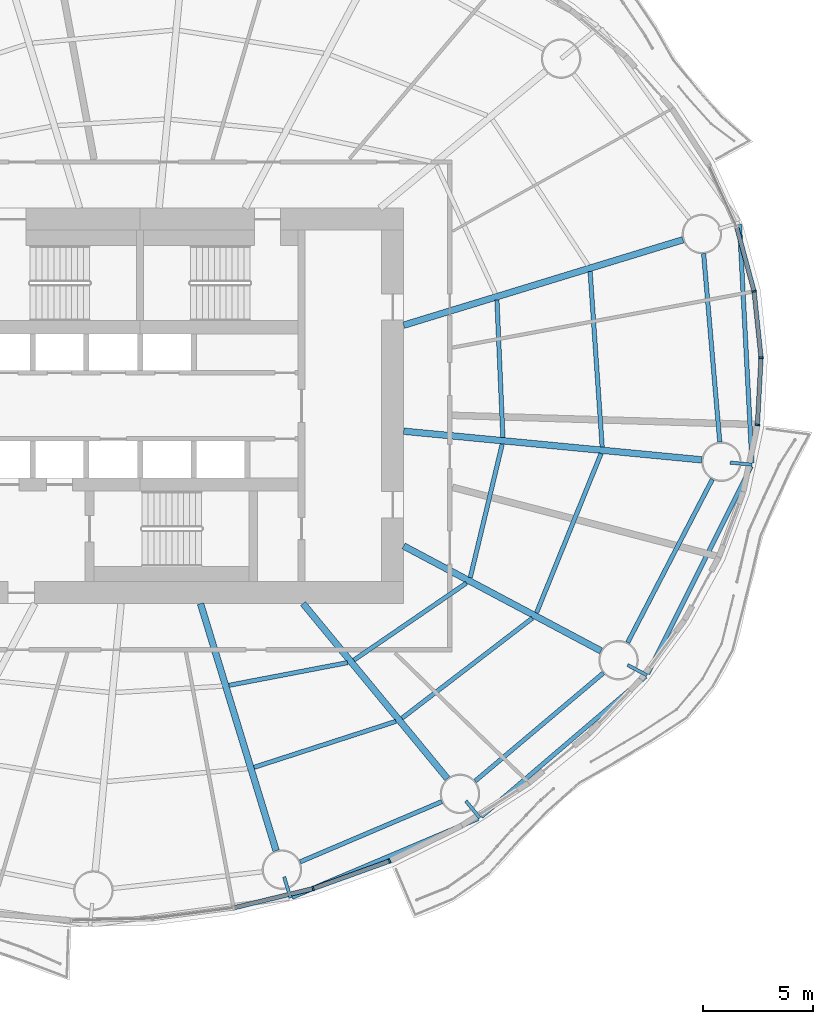
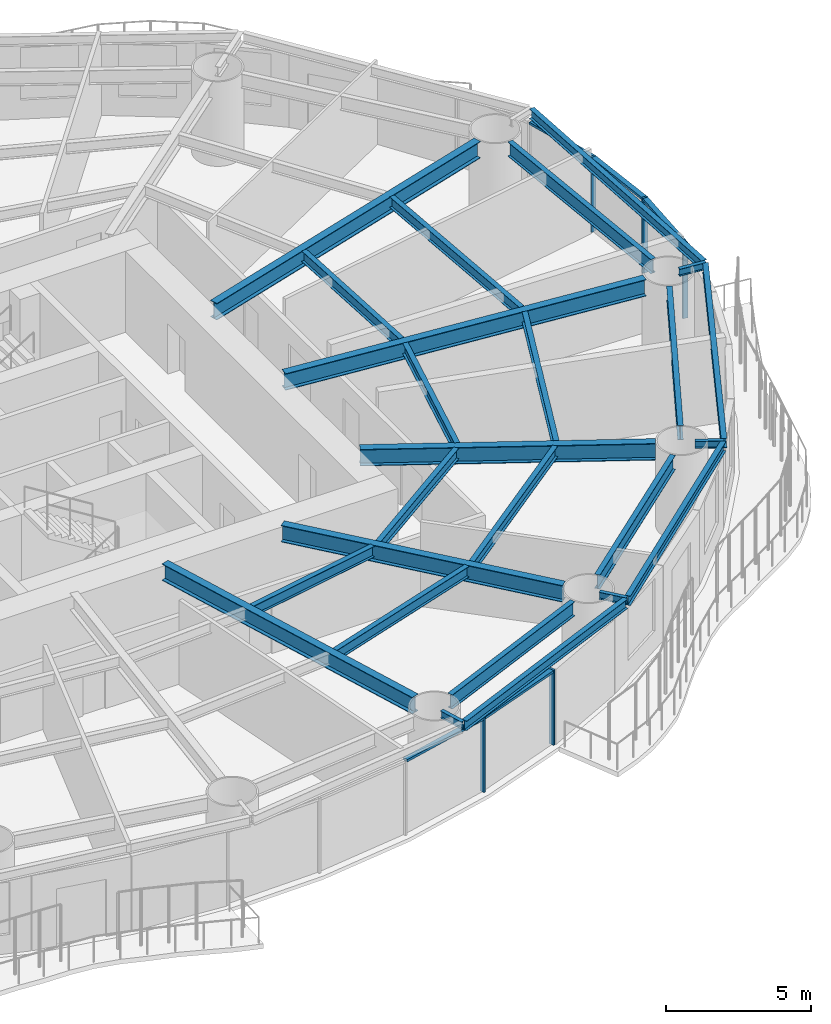
# One storey, part 4 of 17: 25 beams, 10 members, 5 elements without a shape of their own.
"""IFC4 building model written with IfcOpenShell, lengths in metres."""

import ifcopenshell
import ifcopenshell.guid

model = None  # the IFC model being written
_history = None  # IfcOwnerHistory: only IFC2X3 demands one
_inside = {}  # id of a spatial element -> (the spatial element, [elements in it])
_under = {}  # id of a project, library or spatial element -> (it, [spatial elements below it])
_declared = {}  # id of a project -> (the project, [libraries it declares])
_typed = {}  # id of a type object -> (the type object, [elements of that type])
_made_of = {}  # id of a material, layer set ... -> (it, [elements and type objects made of it])


def new_model(schema):
    """Start an empty IFC model of exactly this schema.

    Asked for "IFC4X3", IfcOpenShell would pick the latest addendum, in which some entities
    have other attributes; the version numbers below select the first issue.
    IFC2X3 requires an IfcOwnerHistory on every rooted entity: one is made here for all.
    """
    global model, _history
    if schema == "IFC4X3":
        model = ifcopenshell.file(schema_version=(4, 3, 0, 0))
    else:
        model = ifcopenshell.file(schema=schema)
    _inside.clear()
    _under.clear()
    _declared.clear()
    _typed.clear()
    _made_of.clear()
    _history = None
    if model.schema == "IFC2X3":
        org = make("IfcOrganization", Name="unknown")
        user = make(
            "IfcPersonAndOrganization",
            ThePerson=make("IfcPerson", FamilyName="unknown"),
            TheOrganization=org,
        )
        app = make(
            "IfcApplication",
            ApplicationDeveloper=org,
            Version="unknown",
            ApplicationFullName="unknown",
            ApplicationIdentifier="unknown",
        )
        _history = make(
            "IfcOwnerHistory",
            OwningUser=user,
            OwningApplication=app,
            ChangeAction="ADDED",
            CreationDate=0,
        )
    return model


def make(cls, **values):
    """One entity of the class cls with the attributes given. An attribute that is None is left unset."""
    return model.create_entity(
        cls, **{name: value for name, value in values.items() if value is not None}
    )


def rooted(cls, **values):
    """An entity with a GlobalId (a new one), such as an element, a storey or a relation."""
    return make(cls, GlobalId=ifcopenshell.guid.new(), OwnerHistory=_history, **values)


def si_unit(unit_type, name, prefix=None):
    """IfcSIUnit, for example si_unit("LENGTHUNIT", "METRE", prefix="MILLI")."""
    return make("IfcSIUnit", UnitType=unit_type, Prefix=prefix, Name=name)


def assignment(units):
    """IfcUnitAssignment: the units of a project."""
    return None if units is None else make("IfcUnitAssignment", Units=units)


def point(xyz):
    """IfcCartesianPoint."""
    return None if xyz is None else make("IfcCartesianPoint", Coordinates=xyz)


def direction(xyz):
    """IfcDirection."""
    return None if xyz is None else make("IfcDirection", DirectionRatios=xyz)


def frame(location, z_axis=None, x_axis=None):
    """IfcAxis2Placement3D, a coordinate frame: its origin and axes. An axis left out is left unset."""
    return make(
        "IfcAxis2Placement3D",
        Location=point(location),
        Axis=direction(z_axis),
        RefDirection=direction(x_axis),
    )


def frame_2d(location, x_axis=None):
    """IfcAxis2Placement2D, a coordinate frame in the plane: its origin and x axis."""
    return make(
        "IfcAxis2Placement2D", Location=point(location), RefDirection=direction(x_axis)
    )


def origin():
    """The frame at (0, 0, 0) with its axes left unset."""
    return frame((0.0, 0.0, 0.0))


def origin_2d():
    """The frame at (0, 0) in the plane with its x axis left unset."""
    return frame_2d((0.0, 0.0))


def place(relative_to, where):
    """IfcLocalPlacement: puts the frame where relative to a parent placement (None: the world)."""
    return make(
        "IfcLocalPlacement", PlacementRelTo=relative_to, RelativePlacement=where
    )


def context(
    kind, dimensions, precision=None, world=None, true_north=None, identifier=None
):
    """IfcGeometricRepresentationContext, for example the 3D "Model" context."""
    return make(
        "IfcGeometricRepresentationContext",
        ContextIdentifier=identifier,
        ContextType=kind,
        CoordinateSpaceDimension=dimensions,
        Precision=precision,
        WorldCoordinateSystem=world,
        TrueNorth=true_north,
    )


def subcontext(parent, identifier, kind, view, scale=None):
    """IfcGeometricRepresentationSubContext, for example "Body" below "Model"."""
    return make(
        "IfcGeometricRepresentationSubContext",
        ContextIdentifier=identifier,
        ContextType=kind,
        ParentContext=parent,
        TargetScale=scale,
        TargetView=view,
    )


def project(units=None, contexts=None):
    """IfcProject with its units and contexts."""
    return rooted(
        "IfcProject",
        Name="project",
        RepresentationContexts=contexts,
        UnitsInContext=assignment(units),
    )


def spatial(cls, under=None, at=None, **own):
    """A site, building, storey or space (cls), placed at a placement, below another one or the project."""
    s = rooted(cls, ObjectPlacement=at, **own)
    if under is not None:
        _under.setdefault(under.id(), (under, []))[1].append(s)
    return s


def profile(cls, at=None, kind="AREA", **sizes):
    """A parametric profile (cls). Its sizes go by their IFC names, for example OverallWidth=200.0."""
    return make(cls, ProfileType=kind, Position=at, **sizes)


def rectangle(**sizes):
    """IfcRectangleProfileDef."""
    return profile("IfcRectangleProfileDef", **sizes)


def i_section(**sizes):
    """IfcIShapeProfileDef."""
    return profile("IfcIShapeProfileDef", **sizes)


def extrude(swept, where, along, depth):
    """IfcExtrudedAreaSolid: the profile swept, set in the frame where, extruded along a direction by depth."""
    return make(
        "IfcExtrudedAreaSolid",
        SweptArea=swept,
        Position=where,
        ExtrudedDirection=direction(along),
        Depth=depth,
    )


def shape(context_of_items, identifier, shape_type, items):
    """IfcShapeRepresentation: the items that make up one representation, for example the "Body"."""
    return make(
        "IfcShapeRepresentation",
        ContextOfItems=context_of_items,
        RepresentationIdentifier=identifier,
        RepresentationType=shape_type,
        Items=items,
    )


def material(Name=None, Category=None):
    """IfcMaterial."""
    return make("IfcMaterial", Name=Name, Category=Category)


def material_profile(
    of_material, cross_section, Name=None, Category=None, Priority=None
):
    """IfcMaterialProfile: a cross section and its material."""
    return make(
        "IfcMaterialProfile",
        Name=Name,
        Material=of_material,
        Profile=cross_section,
        Priority=Priority,
        Category=Category,
    )


def profile_set(profiles, Name=None, composite=None):
    """IfcMaterialProfileSet."""
    return make(
        "IfcMaterialProfileSet",
        Name=Name,
        MaterialProfiles=profiles,
        CompositeProfile=composite,
    )


def made_of(thing, what):
    """Note that an element or type object is made of a material, layer set ...; save() writes the relation."""
    if what is not None:
        _made_of.setdefault(what.id(), (what, []))[1].append(thing)
    return thing


def type_object(cls, material=None, **own):
    """A type object (cls), such as IfcWallType, which elements share."""
    return made_of(rooted(cls, **own), material)


def element(
    cls,
    number,
    at=None,
    inside=None,
    cuts=None,
    type_object=None,
    material=None,
    context=None,
    identifier="Body",
    shape_type=None,
    held_by="IfcProductDefinitionShape",
    body=None,
    shapes=None,
    **own,
):
    """One element of the class cls, such as IfcWall. Its Tag is "e" and its number.

    at: its placement. inside: the storey or other place that contains it. cuts: it is an
    opening in that element (IfcRelVoidsElement). A single representation is given by context,
    identifier, shape_type and body (its items); several are given by shapes. held_by: the class
    of the entity that holds the representations. save() writes the other relations.
    """
    e = rooted(cls, Tag="e%d" % number, ObjectPlacement=at, **own)
    if body is not None:
        shapes = [shape(context, identifier, shape_type, body)]
    if shapes is not None:
        e.Representation = make(held_by, Representations=shapes)
    if inside is not None:
        _inside.setdefault(inside.id(), (inside, []))[1].append(e)
    if cuts is not None:
        rooted(
            "IfcRelVoidsElement", RelatingBuildingElement=cuts, RelatedOpeningElement=e
        )
    if type_object is not None:
        _typed.setdefault(type_object.id(), (type_object, []))[1].append(e)
    return made_of(e, material)


def aggregate(whole, parts):
    """IfcRelAggregates: a whole, such as a stair, and the parts it consists of."""
    return rooted("IfcRelAggregates", RelatingObject=whole, RelatedObjects=parts)


def save(model, path):
    """Write the relations noted so far, then the file.

    IfcRelAggregates (storeys below a building ...), IfcRelContainedInSpatialStructure (elements
    in a storey), IfcRelDefinesByType, IfcRelAssociatesMaterial and IfcRelDeclares: one each for
    every whole, place, type object, material and project.
    """
    for whole, parts in _under.values():
        aggregate(whole, parts)
    for where, things in _inside.values():
        rooted(
            "IfcRelContainedInSpatialStructure",
            RelatedElements=things,
            RelatingStructure=where,
        )
    for kind, things in _typed.values():
        rooted("IfcRelDefinesByType", RelatedObjects=things, RelatingType=kind)
    for what, things in _made_of.values():
        rooted("IfcRelAssociatesMaterial", RelatedObjects=things, RelatingMaterial=what)
    for by, libraries in _declared.values():
        rooted("IfcRelDeclares", RelatingContext=by, RelatedDefinitions=libraries)
    model.write(path)


model = new_model("IFC4")

# Units and contexts
model_context = context("Model", 3, precision=1e-05, world=origin(), true_north=direction((0.0, 1.0)))
body_context = subcontext(model_context, "Body", "Model", "MODEL_VIEW")
ifc_project = project(units=[si_unit("LENGTHUNIT", "METRE"), si_unit("AREAUNIT", "SQUARE_METRE"), si_unit("VOLUMEUNIT", "CUBIC_METRE"), si_unit("PLANEANGLEUNIT", "RADIAN"), si_unit("MASSUNIT", "GRAM", prefix="KILO")], contexts=[model_context])

# Site, building, storey
site_placement = place(None, origin())
site = spatial("IfcSite", under=ifc_project, at=site_placement, CompositionType="ELEMENT")
building_placement = place(site_placement, origin())
building = spatial("IfcBuilding", under=site, at=building_placement, Name="Vermilion Reach Broadcast Tower", CompositionType="ELEMENT")
storey_placement = place(building_placement, frame((0.0, 0.0, 76.699951171875)))
storey = spatial("IfcBuildingStorey", under=building, at=storey_placement, Name="L16", CompositionType="ELEMENT", Elevation=76.699951171875)

# Beams
ifc_material_1 = material(Name="Steel S355J2", Category="steel")
ifc_material_profile_1 = material_profile(ifc_material_1, i_section(OverallWidth=0.199951171875, OverallDepth=0.39990234375, WebThickness=0.008056640625, FlangeThickness=0.012939453125, at=origin_2d()), Name="S355J2 HN 400x200x8x13")
ifc_profile_set_1 = profile_set([ifc_material_profile_1], Name="Steel S355J2")
beam_type_1 = type_object("IfcBeamType", Name="EB1 HN 400x200x8x13", PredefinedType="BEAM", material=ifc_profile_set_1)
beam_1_placement = place(storey_placement, frame((0.92041015625, -22.36474609375, 3.35009765625), z_axis=(0.921083341804, 0.38936548056, 0.0), x_axis=(-0.38936548056, 0.921083341804, 0.0)))
element("IfcBeam", 1, at=beam_1_placement, inside=storey, type_object=beam_type_1, Name="Edge beam EB1-13", PredefinedType="BEAM", context=body_context, shape_type="SweptSolid", body=[
    extrude(i_section(OverallWidth=0.199951171875, OverallDepth=0.39990234375, WebThickness=0.008056640625, FlangeThickness=0.012939453125, at=origin_2d()), origin(), (0.0, 0.0, 1.0), 9.19775390625),
])
beam_2_placement = place(storey_placement, frame((9.521484375, -18.704345703125, 3.35009765625), z_axis=(0.760702483085, 0.64910071039, 0.0), x_axis=(-0.64910071039, 0.760702483085, 0.0)))
element("IfcBeam", 2, at=beam_2_placement, inside=storey, type_object=beam_type_1, Name="Edge beam EB1-14", PredefinedType="BEAM", context=body_context, shape_type="SweptSolid", body=[
    extrude(i_section(OverallWidth=0.199951171875, OverallDepth=0.39990234375, WebThickness=0.008056640625, FlangeThickness=0.012939453125, at=origin_2d()), origin(), (0.0, 0.0, 1.0), 9.84423828125),
])
beam_3_placement = place(storey_placement, frame((17.10498046875, -12.195068359375, 3.35009765625), z_axis=(0.446732551643, 0.894667551274, 0.0), x_axis=(-0.894667551274, 0.446732551643, 0.0)))
element("IfcBeam", 3, at=beam_3_placement, inside=storey, type_object=beam_type_1, Name="Edge beam EB1-15", PredefinedType="BEAM", context=body_context, shape_type="SweptSolid", body=[
    extrude(i_section(OverallWidth=0.199951171875, OverallDepth=0.39990234375, WebThickness=0.008056640625, FlangeThickness=0.012939453125, at=origin_2d()), origin(), (0.0, 0.0, 1.0), 10.557861328125),
])
beam_4_placement = place(storey_placement, frame((21.853515625, -2.601806640625, 3.35009765625), z_axis=(-0.05221391195, 0.998635923347, 0.0), x_axis=(-0.998635923347, -0.05221391195, 0.0)))
element("IfcBeam", 4, at=beam_4_placement, inside=storey, type_object=beam_type_1, Name="Edge beam EB1-16", PredefinedType="BEAM", context=body_context, shape_type="SweptSolid", body=[
    extrude(i_section(OverallWidth=0.199951171875, OverallDepth=0.39990234375, WebThickness=0.008056640625, FlangeThickness=0.012939453125, at=origin_2d()), origin(), (0.0, 0.0, 1.0), 10.88525390625),
])
ifc_material_2 = material(Name="Steel S355J2", Category="steel")
ifc_material_profile_2 = material_profile(ifc_material_2, i_section(OverallWidth=0.300048828125, OverallDepth=0.699951171875, WebThickness=0.012939453125, FlangeThickness=0.02392578125, at=origin_2d()), Name="S355J2 HN 700x300x13x24")
ifc_profile_set_2 = profile_set([ifc_material_profile_2], Name="Steel S355J2")
beam_type_2 = type_object("IfcBeamType", Name="G1 HN 700x300x13x24", PredefinedType="BEAM", material=ifc_profile_set_2)
beam_5_placement = place(storey_placement, frame((6.0, 3.671142578125, 3.199951171875), z_axis=(0.956255735186, 0.292531996409, 0.0), x_axis=(-0.292531996409, 0.956255735186, 0.0)))
element("IfcBeam", 5, at=beam_5_placement, inside=storey, type_object=beam_type_2, Name="Girder G1-01", PredefinedType="BEAM", context=body_context, shape_type="SweptSolid", body=[
    extrude(i_section(OverallWidth=0.300048828125, OverallDepth=0.699951171875, WebThickness=0.012939453125, FlangeThickness=0.02392578125, at=origin_2d()), origin(), (0.0, 0.0, 1.0), 13.29638671875),
])
beam_6_placement = place(storey_placement, frame((-3.246826171875, -9.0, 3.199951171875), z_axis=(0.292542302886, -0.95625258223, 0.0), x_axis=(0.95625258223, 0.292542302886, 0.0)))
element("IfcBeam", 6, at=beam_6_placement, inside=storey, type_object=beam_type_2, Name="Girder G1-13", PredefinedType="BEAM", context=body_context, shape_type="SweptSolid", body=[
    extrude(i_section(OverallWidth=0.300048828125, OverallDepth=0.699951171875, WebThickness=0.012939453125, FlangeThickness=0.02392578125, at=origin_2d()), origin(), (0.0, 0.0, 1.0), 11.76220703125),
])
beam_7_placement = place(storey_placement, frame((1.421630859375, -9.0, 3.199951171875), z_axis=(0.636215165107, -0.77151167437, 0.0), x_axis=(0.77151167437, 0.636215165107, 0.0)))
element("IfcBeam", 7, at=beam_7_placement, inside=storey, type_object=beam_type_2, Name="Girder G1-14", PredefinedType="BEAM", context=body_context, shape_type="SweptSolid", body=[
    extrude(i_section(OverallWidth=0.300048828125, OverallDepth=0.699951171875, WebThickness=0.012939453125, FlangeThickness=0.02392578125, at=origin_2d()), origin(), (0.0, 0.0, 1.0), 10.3251953125),
])
beam_8_placement = place(storey_placement, frame((6.0, -6.3779296875, 3.199951171875), z_axis=(0.883032139419, -0.469312519279, 0.0), x_axis=(0.469312519279, 0.883032139419, 0.0)))
element("IfcBeam", 8, at=beam_8_placement, inside=storey, type_object=beam_type_2, Name="Girder G1-15", PredefinedType="BEAM", context=body_context, shape_type="SweptSolid", body=[
    extrude(i_section(OverallWidth=0.300048828125, OverallDepth=0.699951171875, WebThickness=0.012939453125, FlangeThickness=0.02392578125, at=origin_2d()), origin(), (0.0, 0.0, 1.0), 10.17529296875),
])
beam_9_placement = place(storey_placement, frame((6.0, -1.1533203125, 3.199951171875), z_axis=(0.995412178872, -0.095679643363, 0.0), x_axis=(0.095679643363, 0.995412178872, 0.0)))
element("IfcBeam", 9, at=beam_9_placement, inside=storey, type_object=beam_type_2, Name="Girder G1-16", PredefinedType="BEAM", context=body_context, shape_type="SweptSolid", body=[
    extrude(i_section(OverallWidth=0.300048828125, OverallDepth=0.699951171875, WebThickness=0.012939453125, FlangeThickness=0.02392578125, at=origin_2d()), origin(), (0.0, 0.0, 1.0), 13.630859375),
])
ifc_material_3 = material(Name="Steel S355J2", Category="steel")
ifc_material_profile_3 = material_profile(ifc_material_3, i_section(OverallWidth=0.14990234375, OverallDepth=0.300048828125, WebThickness=0.006591796875, FlangeThickness=0.009033203125, at=origin_2d()), Name="S355J2 HN 300x150x6.5x9")
ifc_profile_set_3 = profile_set([ifc_material_profile_3], Name="Steel S355J2")
beam_type_3 = type_object("IfcBeamType", Name="GS1 HN 300x150x6.5x9", PredefinedType="BEAM", material=ifc_profile_set_3)
for number, where, z_axis, x_axis, name in (
    (10, (0.558349609375, -21.43798828125, 3.400146484375), (0.292472824594, -0.95627383467, 0.0), (0.95627383467, 0.292472824594, 0.0), "Cantilever stub GS1-13"),
    (11, (8.828125, -17.9814453125, 3.400146484375), (0.636237674108, -0.771493112118, 0.0), (0.771493112118, 0.636237674108, 0.0), "Cantilever stub GS1-14"),
    (12, (16.1884765625, -11.792724609375, 3.400146484375), (0.882967123333, -0.469434829463, 0.0), (0.469434829463, 0.882967123333, 0.0), "Cantilever stub GS1-15"),
    (13, (20.862060546875, -2.581787109375, 3.400146484375), (0.995409476419, -0.095707754417, 0.0), (0.095707754417, 0.995409476419, 0.0), "Cantilever stub GS1-16"),
):
    element("IfcBeam", number, at=place(storey_placement, frame(where, z_axis=z_axis, x_axis=x_axis)), inside=storey, type_object=beam_type_3, Name=name, PredefinedType="BEAM", context=body_context, shape_type="SweptSolid", body=[
        extrude(i_section(OverallWidth=0.14990234375, OverallDepth=0.300048828125, WebThickness=0.006591796875, FlangeThickness=0.009033203125, at=origin_2d()), origin(), (0.0, 0.0, 1.0), 1.0),
    ])
ifc_material_4 = material(Name="Steel S355J2", Category="steel")
ifc_material_profile_4 = material_profile(ifc_material_4, i_section(OverallWidth=0.199951171875, OverallDepth=0.60009765625, WebThickness=0.010986328125, FlangeThickness=0.01708984375, at=origin_2d()), Name="S355J2 HN 600x200x11x17")
ifc_profile_set_4 = profile_set([ifc_material_profile_4], Name="Steel S355J2")
beam_type_4 = type_object("IfcBeamType", Name="RB1 HN 600x200x11x17", PredefinedType="BEAM", material=ifc_profile_set_4)
beam_10_placement = place(storey_placement, frame((1.28564453125, -20.755859375, 3.25), z_axis=(0.920220846584, 0.391399531825, 0.0), x_axis=(-0.391399531825, 0.920220846584, 0.0)))
element("IfcBeam", 14, at=beam_10_placement, inside=storey, type_object=beam_type_4, Name="Ring beam RB1-13", PredefinedType="BEAM", context=body_context, shape_type="SweptSolid", body=[
    extrude(i_section(OverallWidth=0.199951171875, OverallDepth=0.60009765625, WebThickness=0.010986328125, FlangeThickness=0.01708984375, at=origin_2d()), origin(), (0.0, 0.0, 1.0), 7.008544921875),
])
beam_11_placement = place(storey_placement, frame((9.251220703125, -17.080322265625, 3.25), z_axis=(0.764512441084, 0.6446089725, 0.0), x_axis=(-0.6446089725, 0.764512441084, 0.0)))
element("IfcBeam", 15, at=beam_11_placement, inside=storey, type_object=beam_type_4, Name="Ring beam RB1-14", PredefinedType="BEAM", context=body_context, shape_type="SweptSolid", body=[
    extrude(i_section(OverallWidth=0.199951171875, OverallDepth=0.60009765625, WebThickness=0.010986328125, FlangeThickness=0.01708984375, at=origin_2d()), origin(), (0.0, 0.0, 1.0), 7.6396484375),
])
beam_12_placement = place(storey_placement, frame((16.194091796875, -10.776611328125, 3.25), z_axis=(0.460411617218, 0.887705549566, 0.0), x_axis=(-0.887705549566, 0.460411617218, 0.0)))
element("IfcBeam", 16, at=beam_12_placement, inside=storey, type_object=beam_type_4, Name="Ring beam RB1-15", PredefinedType="BEAM", context=body_context, shape_type="SweptSolid", body=[
    extrude(i_section(OverallWidth=0.199951171875, OverallDepth=0.60009765625, WebThickness=0.010986328125, FlangeThickness=0.01708984375, at=origin_2d()), origin(), (0.0, 0.0, 1.0), 8.37451171875),
])
beam_13_placement = place(storey_placement, frame((20.38720703125, -1.646728515625, 3.25), z_axis=(-0.085395508608, 0.996347131832, 0.0), x_axis=(-0.996347131832, -0.085395508608, 0.0)))
element("IfcBeam", 17, at=beam_13_placement, inside=storey, type_object=beam_type_4, Name="Ring beam RB1-16", PredefinedType="BEAM", context=body_context, shape_type="SweptSolid", body=[
    extrude(i_section(OverallWidth=0.199951171875, OverallDepth=0.60009765625, WebThickness=0.010986328125, FlangeThickness=0.01708984375, at=origin_2d()), origin(), (0.0, 0.0, 1.0), 8.60546875),
])
ifc_material_5 = material(Name="Steel S355J2", Category="steel")
ifc_material_profile_5 = material_profile(ifc_material_5, i_section(OverallWidth=0.199951171875, OverallDepth=0.449951171875, WebThickness=0.009033203125, FlangeThickness=0.013916015625, at=origin_2d()), Name="S355J2 HN 450x200x9x14")
ifc_profile_set_5 = profile_set([ifc_material_profile_5], Name="Steel S355J2")
beam_type_5 = type_object("IfcBeamType", Name="SB1 HN 450x200x9x14", PredefinedType="BEAM", material=ifc_profile_set_5)
beam_14_placement = place(storey_placement, frame((-1.95166015625, -12.720703125, 3.324951171875), z_axis=(0.982151348822, 0.188092339045, 0.0), x_axis=(-0.188092339045, 0.982151348822, 0.0)))
element("IfcBeam", 18, at=beam_14_placement, inside=storey, type_object=beam_type_5, Name="Secondary beam SB1-13-1", PredefinedType="BEAM", context=body_context, shape_type="SweptSolid", body=[
    extrude(i_section(OverallWidth=0.199951171875, OverallDepth=0.449951171875, WebThickness=0.009033203125, FlangeThickness=0.013916015625, at=origin_2d()), origin(), (0.0, 0.0, 1.0), 5.4931640625),
])
beam_15_placement = place(storey_placement, frame((-0.81005859375, -16.4521484375, 3.324951171875), z_axis=(0.951332300844, 0.308166924523, 0.0), x_axis=(-0.308166924523, 0.951332300844, 0.0)))
element("IfcBeam", 19, at=beam_15_placement, inside=storey, type_object=beam_type_5, Name="Secondary beam SB1-13-2", PredefinedType="BEAM", context=body_context, shape_type="SweptSolid", body=[
    extrude(i_section(OverallWidth=0.199951171875, OverallDepth=0.449951171875, WebThickness=0.009033203125, FlangeThickness=0.013916015625, at=origin_2d()), origin(), (0.0, 0.0, 1.0), 6.787841796875),
])
beam_16_placement = place(storey_placement, frame((3.735595703125, -11.5703125, 3.324951171875), z_axis=(0.825140253447, 0.564927926502, 0.0), x_axis=(-0.564927926502, 0.825140253447, 0.0)))
element("IfcBeam", 20, at=beam_16_placement, inside=storey, type_object=beam_type_5, Name="Secondary beam SB1-14-1", PredefinedType="BEAM", context=body_context, shape_type="SweptSolid", body=[
    extrude(i_section(OverallWidth=0.199951171875, OverallDepth=0.449951171875, WebThickness=0.009033203125, FlangeThickness=0.013916015625, at=origin_2d()), origin(), (0.0, 0.0, 1.0), 6.20458984375),
])
beam_17_placement = place(storey_placement, frame((5.920166015625, -14.21923828125, 3.324951171875), z_axis=(0.793349617473, 0.60876628065, 0.0), x_axis=(-0.60876628065, 0.793349617473, 0.0)))
element("IfcBeam", 21, at=beam_17_placement, inside=storey, type_object=beam_type_5, Name="Secondary beam SB1-14-2", PredefinedType="BEAM", context=body_context, shape_type="SweptSolid", body=[
    extrude(i_section(OverallWidth=0.199951171875, OverallDepth=0.449951171875, WebThickness=0.009033203125, FlangeThickness=0.013916015625, at=origin_2d()), origin(), (0.0, 0.0, 1.0), 7.486328125),
])
beam_18_placement = place(storey_placement, frame((9.031005859375, -7.81884765625, 3.324951171875), z_axis=(0.232844467589, 0.972513986487, 0.0), x_axis=(-0.972513986487, 0.232844467589, 0.0)))
element("IfcBeam", 22, at=beam_18_placement, inside=storey, type_object=beam_type_5, Name="Secondary beam SB1-15-1", PredefinedType="BEAM", context=body_context, shape_type="SweptSolid", body=[
    extrude(i_section(OverallWidth=0.199951171875, OverallDepth=0.449951171875, WebThickness=0.009033203125, FlangeThickness=0.013916015625, at=origin_2d()), origin(), (0.0, 0.0, 1.0), 6.25537109375),
])
beam_19_placement = place(storey_placement, frame((12.046630859375, -9.421630859375, 3.324951171875), z_axis=(0.375640669938, 0.926765389453, 0.0), x_axis=(-0.926765389453, 0.375640669938, 0.0)))
element("IfcBeam", 23, at=beam_19_placement, inside=storey, type_object=beam_type_5, Name="Secondary beam SB1-15-2", PredefinedType="BEAM", context=body_context, shape_type="SweptSolid", body=[
    extrude(i_section(OverallWidth=0.199951171875, OverallDepth=0.449951171875, WebThickness=0.009033203125, FlangeThickness=0.013916015625, at=origin_2d()), origin(), (0.0, 0.0, 1.0), 7.8271484375),
])
beam_20_placement = place(storey_placement, frame((10.51611328125, -1.436767578125, 3.324951171875), z_axis=(-0.043361007512, 0.999059469215, 0.0), x_axis=(-0.999059469215, -0.043361007512, 0.0)))
element("IfcBeam", 24, at=beam_20_placement, inside=storey, type_object=beam_type_5, Name="Secondary beam SB1-16-1", PredefinedType="BEAM", context=body_context, shape_type="SweptSolid", body=[
    extrude(i_section(OverallWidth=0.199951171875, OverallDepth=0.449951171875, WebThickness=0.009033203125, FlangeThickness=0.013916015625, at=origin_2d()), origin(), (0.0, 0.0, 1.0), 6.25537109375),
])
beam_21_placement = place(storey_placement, frame((15.03515625, -1.87109375, 3.324951171875), z_axis=(-0.068507801475, 0.997650580683, 0.0), x_axis=(-0.997650580683, -0.068507801475, 0.0)))
element("IfcBeam", 25, at=beam_21_placement, inside=storey, type_object=beam_type_5, Name="Secondary beam SB1-16-2", PredefinedType="BEAM", context=body_context, shape_type="SweptSolid", body=[
    extrude(i_section(OverallWidth=0.199951171875, OverallDepth=0.449951171875, WebThickness=0.009033203125, FlangeThickness=0.013916015625, at=origin_2d()), origin(), (0.0, 0.0, 1.0), 8.00048828125),
])

# Curtain wall, member
ifc_material_6 = material(Name="Low-e laminated clear glass in aluminium frame", Category="aluminium")
curtain_wall_type = type_object("IfcCurtainWallType", Name="Slot curtain wall", PredefinedType="NOTDEFINED", material=ifc_material_6)
placement = place(storey_placement, origin())
curtain_wall_1 = element("IfcCurtainWall", 26, at=placement, inside=storey, type_object=curtain_wall_type, Name="Slot curtain wall L16 46", PredefinedType="NOTDEFINED")
ifc_material_7 = material(Name="Anodised aluminium", Category="aluminium")
ifc_material_profile_6 = material_profile(ifc_material_7, rectangle(XDim=0.199951171875, YDim=0.080078125, at=origin_2d()), Name="Slot mullion 80 x 200")
ifc_profile_set_6 = profile_set([ifc_material_profile_6], Name="Anodised aluminium")
member_type_1 = type_object("IfcMemberType", Name="Slot mullion 80 x 200", PredefinedType="MULLION", material=ifc_profile_set_6)
member_1_placement = place(storey_placement, frame((22.100341796875, -0.864990234375, 0.0), z_axis=(0.0, 0.0, 1.0), x_axis=(-0.99141424086, 0.13075856767, 0.0)))
member_1 = element("IfcMember", 27, at=member_1_placement, type_object=member_type_1, Name="Slot mullion L16 46", PredefinedType="MULLION", context=body_context, shape_type="SweptSolid", body=[
    extrude(rectangle(XDim=0.199951171875, YDim=0.080078125, at=origin_2d()), origin(), (0.0, 0.0, 1.0), 3.150146484375),
])

curtain_wall_2 = element("IfcCurtainWall", 28, at=placement, inside=storey, type_object=curtain_wall_type, Name="Slot curtain wall L16 47", PredefinedType="NOTDEFINED")
member_2_placement = place(storey_placement, frame((22.264892578125, 2.191650390625, 0.0), z_axis=(0.0, 0.0, 1.0), x_axis=(-0.999679289273, -0.025324268963, 0.0)))
member_2 = element("IfcMember", 29, at=member_2_placement, type_object=member_type_1, Name="Slot mullion L16 47", PredefinedType="MULLION", context=body_context, shape_type="SweptSolid", body=[
    extrude(rectangle(XDim=0.199951171875, YDim=0.080078125, at=origin_2d()), origin(), (0.0, 0.0, 1.0), 3.150146484375),
])

curtain_wall_3 = element("IfcCurtainWall", 30, at=placement, inside=storey, type_object=curtain_wall_type, Name="Slot curtain wall L16 00", PredefinedType="NOTDEFINED")
member_3_placement = place(storey_placement, frame((21.948486328125, 5.210205078125, 0.0), z_axis=(0.0, 0.0, 1.0), x_axis=(-0.983063525137, -0.183265123648, 0.0)))
member_3 = element("IfcMember", 31, at=member_3_placement, type_object=member_type_1, Name="Slot mullion L16 00", PredefinedType="MULLION", context=body_context, shape_type="SweptSolid", body=[
    extrude(rectangle(XDim=0.199951171875, YDim=0.080078125, at=origin_2d()), origin(), (0.0, 0.0, 1.0), 3.150146484375),
])

# Curtain wall, members
curtain_wall_4 = element("IfcCurtainWall", 32, at=placement, inside=storey, type_object=curtain_wall_type, Name="Slot curtain wall L16 37", PredefinedType="NOTDEFINED")
member_4_placement = place(storey_placement, frame((1.8779296875, -21.97119140625, 0.0), z_axis=(0.0, 0.0, 1.0), x_axis=(-0.287794119041, 0.957692301862, 0.0)))
member_4 = element("IfcMember", 33, at=member_4_placement, type_object=member_type_1, Name="Slot mullion L16 37", PredefinedType="MULLION", context=body_context, shape_type="SweptSolid", body=[
    extrude(rectangle(XDim=0.199951171875, YDim=0.080078125, at=origin_2d()), origin(), (0.0, 0.0, 1.0), 3.150146484375),
])
member_5_placement = place(storey_placement, frame((5.360595703125, -20.71630859375, 0.0), z_axis=(0.0, 0.0, 1.0), x_axis=(-0.390104441106, 0.920770614773, 0.0)))
member_5 = element("IfcMember", 34, at=member_5_placement, type_object=member_type_1, Name="Slot mullion L16 38", PredefinedType="MULLION", context=body_context, shape_type="SweptSolid", body=[
    extrude(rectangle(XDim=0.199951171875, YDim=0.080078125, at=origin_2d()), origin(), (0.0, 0.0, 1.0), 3.150146484375),
])

# Member
ifc_material_8 = material(Name="Anodised aluminium", Category="aluminium")
ifc_material_profile_7 = material_profile(ifc_material_8, rectangle(XDim=0.199951171875, YDim=0.10009765625, at=origin_2d()), Name="Slot transom 200 x 100")
ifc_profile_set_7 = profile_set([ifc_material_profile_7], Name="Anodised aluminium")
member_type_2 = type_object("IfcMemberType", Name="Slot transom 200 x 100", PredefinedType="USERDEFINED", material=ifc_profile_set_7)
member_6_placement = place(storey_placement, frame((22.102294921875, -0.824951171875, 3.10009765625), z_axis=(0.053805322646, 0.998551444471, 0.0), x_axis=(-0.998551444471, 0.053805322646, 0.0)))
member_6 = element("IfcMember", 35, at=member_6_placement, type_object=member_type_2, Name="Slot transom L16 46.1", ObjectType="TRANSOM", PredefinedType="USERDEFINED", context=body_context, shape_type="SweptSolid", body=[
    extrude(rectangle(XDim=0.199951171875, YDim=0.10009765625, at=origin_2d()), origin(), (0.0, 0.0, 1.0), 2.981201171875),
])

aggregate(curtain_wall_1, [member_1, member_6])

member_7_placement = place(storey_placement, frame((22.2607421875, 2.2314453125, 3.10009765625), z_axis=(-0.104263312581, 0.994549728093, 0.0), x_axis=(-0.994549728093, -0.104263312581, 0.0)))
member_7 = element("IfcMember", 36, at=member_7_placement, type_object=member_type_2, Name="Slot transom L16 47.1", ObjectType="TRANSOM", PredefinedType="USERDEFINED", context=body_context, shape_type="SweptSolid", body=[
    extrude(rectangle(XDim=0.199951171875, YDim=0.10009765625, at=origin_2d()), origin(), (0.0, 0.0, 1.0), 2.955078125),
])

aggregate(curtain_wall_2, [member_2, member_7])

member_8_placement = place(storey_placement, frame((21.93798828125, 5.248779296875, 3.10009765625), z_axis=(-0.261075496233, 0.965318385439, 0.0), x_axis=(-0.965318385439, -0.261075496233, 0.0)))
member_8 = element("IfcMember", 37, at=member_8_placement, type_object=member_type_2, Name="Slot transom L16 00.1", ObjectType="TRANSOM", PredefinedType="USERDEFINED", context=body_context, shape_type="SweptSolid", body=[
    extrude(rectangle(XDim=0.199951171875, YDim=0.10009765625, at=origin_2d()), origin(), (0.0, 0.0, 1.0), 2.955078125),
])

aggregate(curtain_wall_3, [member_3, member_8])

# Curtain wall, member
curtain_wall_5 = element("IfcCurtainWall", 38, at=placement, inside=storey, type_object=curtain_wall_type, Name="Slot curtain wall L16 36", PredefinedType="NOTDEFINED")
member_9_placement = place(storey_placement, frame((-1.70166015625, -22.839599609375, 3.10009765625), z_axis=(0.971813827273, 0.2357496238, 0.0), x_axis=(-0.2357496238, 0.971813827273, 0.0)))
member_9 = element("IfcMember", 39, at=member_9_placement, type_object=member_type_2, Name="Slot transom L16 36.1", ObjectType="TRANSOM", PredefinedType="USERDEFINED", context=body_context, shape_type="SweptSolid", body=[
    extrude(rectangle(XDim=0.199951171875, YDim=0.10009765625, at=origin_2d()), origin(), (0.0, 0.0, 1.0), 3.643310546875),
])
aggregate(curtain_wall_5, [member_9])

# Member
member_10_placement = place(storey_placement, frame((1.91552734375, -21.957763671875, 3.10009765625), z_axis=(0.940761886132, 0.339067948355, 0.0), x_axis=(-0.339067948355, 0.940761886132, 0.0)))
member_10 = element("IfcMember", 40, at=member_10_placement, type_object=member_type_2, Name="Slot transom L16 37.1", ObjectType="TRANSOM", PredefinedType="USERDEFINED", context=body_context, shape_type="SweptSolid", body=[
    extrude(rectangle(XDim=0.199951171875, YDim=0.10009765625, at=origin_2d()), origin(), (0.0, 0.0, 1.0), 3.621826171875),
])

aggregate(curtain_wall_4, [member_4, member_5, member_10])

save(model, "model.ifc")
